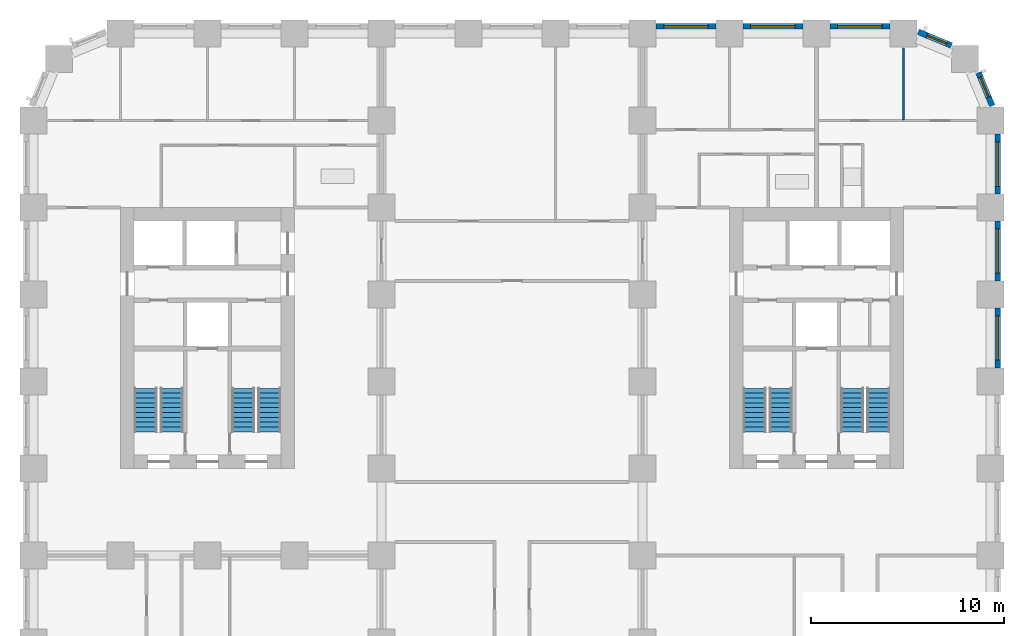
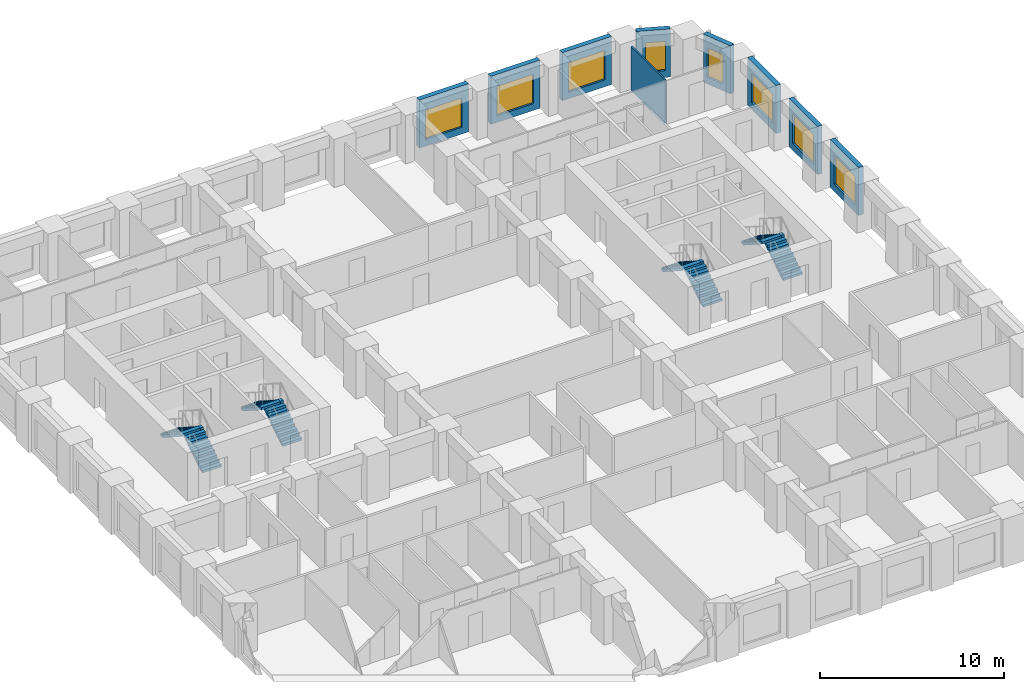
# One storey, part 9 of 12: 9 walls, 8 stair flights, 8 windows, 8 openings, 4 elements without a shape of their own.
"""IFC4 building model written with IfcOpenShell, lengths in metres."""

import ifcopenshell
import ifcopenshell.guid

model = None  # the IFC model being written
_history = None  # IfcOwnerHistory: only IFC2X3 demands one
_inside = {}  # id of a spatial element -> (the spatial element, [elements in it])
_under = {}  # id of a project, library or spatial element -> (it, [spatial elements below it])
_declared = {}  # id of a project -> (the project, [libraries it declares])
_typed = {}  # id of a type object -> (the type object, [elements of that type])
_made_of = {}  # id of a material, layer set ... -> (it, [elements and type objects made of it])


def new_model(schema):
    """Start an empty IFC model of exactly this schema.

    Asked for "IFC4X3", IfcOpenShell would pick the latest addendum, in which some entities
    have other attributes; the version numbers below select the first issue.
    IFC2X3 requires an IfcOwnerHistory on every rooted entity: one is made here for all.
    """
    global model, _history
    if schema == "IFC4X3":
        model = ifcopenshell.file(schema_version=(4, 3, 0, 0))
    else:
        model = ifcopenshell.file(schema=schema)
    _inside.clear()
    _under.clear()
    _declared.clear()
    _typed.clear()
    _made_of.clear()
    _history = None
    if model.schema == "IFC2X3":
        org = make("IfcOrganization", Name="unknown")
        user = make(
            "IfcPersonAndOrganization",
            ThePerson=make("IfcPerson", FamilyName="unknown"),
            TheOrganization=org,
        )
        app = make(
            "IfcApplication",
            ApplicationDeveloper=org,
            Version="unknown",
            ApplicationFullName="unknown",
            ApplicationIdentifier="unknown",
        )
        _history = make(
            "IfcOwnerHistory",
            OwningUser=user,
            OwningApplication=app,
            ChangeAction="ADDED",
            CreationDate=0,
        )
    return model


def make(cls, **values):
    """One entity of the class cls with the attributes given. An attribute that is None is left unset."""
    return model.create_entity(
        cls, **{name: value for name, value in values.items() if value is not None}
    )


def rooted(cls, **values):
    """An entity with a GlobalId (a new one), such as an element, a storey or a relation."""
    return make(cls, GlobalId=ifcopenshell.guid.new(), OwnerHistory=_history, **values)


def si_unit(unit_type, name, prefix=None):
    """IfcSIUnit, for example si_unit("LENGTHUNIT", "METRE", prefix="MILLI")."""
    return make("IfcSIUnit", UnitType=unit_type, Prefix=prefix, Name=name)


def assignment(units):
    """IfcUnitAssignment: the units of a project."""
    return None if units is None else make("IfcUnitAssignment", Units=units)


def point(xyz):
    """IfcCartesianPoint."""
    return None if xyz is None else make("IfcCartesianPoint", Coordinates=xyz)


def direction(xyz):
    """IfcDirection."""
    return None if xyz is None else make("IfcDirection", DirectionRatios=xyz)


def frame(location, z_axis=None, x_axis=None):
    """IfcAxis2Placement3D, a coordinate frame: its origin and axes. An axis left out is left unset."""
    return make(
        "IfcAxis2Placement3D",
        Location=point(location),
        Axis=direction(z_axis),
        RefDirection=direction(x_axis),
    )


def frame_2d(location, x_axis=None):
    """IfcAxis2Placement2D, a coordinate frame in the plane: its origin and x axis."""
    return make(
        "IfcAxis2Placement2D", Location=point(location), RefDirection=direction(x_axis)
    )


def origin():
    """The frame at (0, 0, 0) with its axes left unset."""
    return frame((0.0, 0.0, 0.0))


def place(relative_to, where):
    """IfcLocalPlacement: puts the frame where relative to a parent placement (None: the world)."""
    return make(
        "IfcLocalPlacement", PlacementRelTo=relative_to, RelativePlacement=where
    )


def context(
    kind, dimensions, precision=None, world=None, true_north=None, identifier=None
):
    """IfcGeometricRepresentationContext, for example the 3D "Model" context."""
    return make(
        "IfcGeometricRepresentationContext",
        ContextIdentifier=identifier,
        ContextType=kind,
        CoordinateSpaceDimension=dimensions,
        Precision=precision,
        WorldCoordinateSystem=world,
        TrueNorth=true_north,
    )


def subcontext(parent, identifier, kind, view, scale=None):
    """IfcGeometricRepresentationSubContext, for example "Body" below "Model"."""
    return make(
        "IfcGeometricRepresentationSubContext",
        ContextIdentifier=identifier,
        ContextType=kind,
        ParentContext=parent,
        TargetScale=scale,
        TargetView=view,
    )


def project(units=None, contexts=None):
    """IfcProject with its units and contexts."""
    return rooted(
        "IfcProject",
        Name="project",
        RepresentationContexts=contexts,
        UnitsInContext=assignment(units),
    )


def spatial(cls, under=None, at=None, **own):
    """A site, building, storey or space (cls), placed at a placement, below another one or the project."""
    s = rooted(cls, ObjectPlacement=at, **own)
    if under is not None:
        _under.setdefault(under.id(), (under, []))[1].append(s)
    return s


def polyline(points):
    """IfcPolyline through the points."""
    return make("IfcPolyline", Points=[point(p) for p in points])


def profile(cls, at=None, kind="AREA", **sizes):
    """A parametric profile (cls). Its sizes go by their IFC names, for example OverallWidth=200.0."""
    return make(cls, ProfileType=kind, Position=at, **sizes)


def rectangle(**sizes):
    """IfcRectangleProfileDef."""
    return profile("IfcRectangleProfileDef", **sizes)


def outline(outer, holes=None, kind="AREA"):
    """IfcArbitraryClosedProfileDef: a profile drawn as a closed curve; with holes, ...WithVoids."""
    if holes is None:
        return make("IfcArbitraryClosedProfileDef", ProfileType=kind, OuterCurve=outer)
    return make(
        "IfcArbitraryProfileDefWithVoids",
        ProfileType=kind,
        OuterCurve=outer,
        InnerCurves=holes,
    )


def extrude(swept, where, along, depth):
    """IfcExtrudedAreaSolid: the profile swept, set in the frame where, extruded along a direction by depth."""
    return make(
        "IfcExtrudedAreaSolid",
        SweptArea=swept,
        Position=where,
        ExtrudedDirection=direction(along),
        Depth=depth,
    )


def shape(context_of_items, identifier, shape_type, items):
    """IfcShapeRepresentation: the items that make up one representation, for example the "Body"."""
    return make(
        "IfcShapeRepresentation",
        ContextOfItems=context_of_items,
        RepresentationIdentifier=identifier,
        RepresentationType=shape_type,
        Items=items,
    )


def material(Name=None, Category=None):
    """IfcMaterial."""
    return make("IfcMaterial", Name=Name, Category=Category)


def layer(
    of_material, thickness, ventilated=None, Name=None, Category=None, Priority=None
):
    """IfcMaterialLayer: one layer of a wall or slab, of a material (None: an air gap)."""
    return make(
        "IfcMaterialLayer",
        Material=of_material,
        LayerThickness=thickness,
        IsVentilated=ventilated,
        Name=Name,
        Category=Category,
        Priority=Priority,
    )


def layer_set(layers, Name=None):
    """IfcMaterialLayerSet."""
    return make("IfcMaterialLayerSet", MaterialLayers=layers, LayerSetName=Name)


def made_of(thing, what):
    """Note that an element or type object is made of a material, layer set ...; save() writes the relation."""
    if what is not None:
        _made_of.setdefault(what.id(), (what, []))[1].append(thing)
    return thing


def type_object(cls, material=None, **own):
    """A type object (cls), such as IfcWallType, which elements share."""
    return made_of(rooted(cls, **own), material)


def element(
    cls,
    number,
    at=None,
    inside=None,
    cuts=None,
    type_object=None,
    material=None,
    context=None,
    identifier="Body",
    shape_type=None,
    held_by="IfcProductDefinitionShape",
    body=None,
    shapes=None,
    **own,
):
    """One element of the class cls, such as IfcWall. Its Tag is "e" and its number.

    at: its placement. inside: the storey or other place that contains it. cuts: it is an
    opening in that element (IfcRelVoidsElement). A single representation is given by context,
    identifier, shape_type and body (its items); several are given by shapes. held_by: the class
    of the entity that holds the representations. save() writes the other relations.
    """
    e = rooted(cls, Tag="e%d" % number, ObjectPlacement=at, **own)
    if body is not None:
        shapes = [shape(context, identifier, shape_type, body)]
    if shapes is not None:
        e.Representation = make(held_by, Representations=shapes)
    if inside is not None:
        _inside.setdefault(inside.id(), (inside, []))[1].append(e)
    if cuts is not None:
        rooted(
            "IfcRelVoidsElement", RelatingBuildingElement=cuts, RelatedOpeningElement=e
        )
    if type_object is not None:
        _typed.setdefault(type_object.id(), (type_object, []))[1].append(e)
    return made_of(e, material)


def fill(opening, filler):
    """IfcRelFillsElement: the door or window that sits in an opening."""
    return rooted(
        "IfcRelFillsElement",
        RelatingOpeningElement=opening,
        RelatedBuildingElement=filler,
    )


def aggregate(whole, parts):
    """IfcRelAggregates: a whole, such as a stair, and the parts it consists of."""
    return rooted("IfcRelAggregates", RelatingObject=whole, RelatedObjects=parts)


def save(model, path):
    """Write the relations noted so far, then the file.

    IfcRelAggregates (storeys below a building ...), IfcRelContainedInSpatialStructure (elements
    in a storey), IfcRelDefinesByType, IfcRelAssociatesMaterial and IfcRelDeclares: one each for
    every whole, place, type object, material and project.
    """
    for whole, parts in _under.values():
        aggregate(whole, parts)
    for where, things in _inside.values():
        rooted(
            "IfcRelContainedInSpatialStructure",
            RelatedElements=things,
            RelatingStructure=where,
        )
    for kind, things in _typed.values():
        rooted("IfcRelDefinesByType", RelatedObjects=things, RelatingType=kind)
    for what, things in _made_of.values():
        rooted("IfcRelAssociatesMaterial", RelatedObjects=things, RelatingMaterial=what)
    for by, libraries in _declared.values():
        rooted("IfcRelDeclares", RelatingContext=by, RelatedDefinitions=libraries)
    model.write(path)


model = new_model("IFC4")

# Units and contexts
model_context = context("Model", 3, precision=1e-05, world=origin(), true_north=direction((0.0, 1.0)))
body_context = subcontext(model_context, "Body", "Model", "MODEL_VIEW")
ifc_project = project(units=[si_unit("LENGTHUNIT", "METRE"), si_unit("AREAUNIT", "SQUARE_METRE"), si_unit("VOLUMEUNIT", "CUBIC_METRE"), si_unit("PLANEANGLEUNIT", "RADIAN"), si_unit("MASSUNIT", "GRAM", prefix="KILO")], contexts=[model_context])

# Site, building, storey
site_placement = place(None, origin())
site = spatial("IfcSite", under=ifc_project, at=site_placement, CompositionType="ELEMENT")
building_placement = place(site_placement, origin())
building = spatial("IfcBuilding", under=site, at=building_placement, Name="Girih Gate Residences", CompositionType="ELEMENT")
storey_placement = place(building_placement, frame((0.0, 0.0, 65.60009765625)))
storey = spatial("IfcBuildingStorey", under=building, at=storey_placement, Name="L17", CompositionType="ELEMENT", Elevation=65.60009765625)

# Wall
ifc_material_1 = material(Name="Gypsum board on steel studs", Category="steel")
ifc_layer_1 = layer(ifc_material_1, 0.10009765625)
ifc_layer_set_1 = layer_set([ifc_layer_1], Name="Partition 100 mm")
wall_type_1 = type_object("IfcWallType", Name="Partition 100 mm", PredefinedType="PARTITIONING", material=ifc_layer_set_1)
wall_1_placement = place(storey_placement, frame((45.0, 45.050048828125, 0.0), z_axis=(0.0, 0.0, 1.0), x_axis=(0.0, 1.0, 0.0)))
element("IfcWall", 1, at=wall_1_placement, inside=storey, type_object=wall_type_1, Name="L17 partition", PredefinedType="PARTITIONING", context=body_context, shape_type="SweptSolid", body=[
    extrude(rectangle(XDim=3.6923828125, YDim=0.10009765625, at=frame_2d((1.84619140625, 0.0))), origin(), (0.0, 0.0, 1.0), 2.89990234375),
])

# Wall, opening, window
ifc_material_2 = material(Name="Precast concrete C50/60", Category="concrete")
ifc_layer_2 = layer(ifc_material_2, 0.080078125, Name="Outer leaf")
ifc_material_3 = material(Name="Rigid PIR insulation")
ifc_layer_3 = layer(ifc_material_3, 0.14990234375, Name="Insulation")
ifc_material_4 = material(Name="Precast concrete C40/50", Category="concrete")
ifc_layer_4 = layer(ifc_material_4, 0.070068359375, Name="Inner leaf")
ifc_layer_set_2 = layer_set([ifc_layer_2, ifc_layer_3, ifc_layer_4], Name="Precast concrete C50/60 external wall 300")
wall_type_2 = type_object("IfcWallType", Name="Precast concrete C50/60 external wall 300", PredefinedType="SOLIDWALL", material=ifc_layer_set_2)
wall_2_placement = place(storey_placement, frame((49.875, 35.300048828125, 0.0), z_axis=(0.0, 0.0, 1.0), x_axis=(0.0, -1.0, 0.0)))
wall_2 = element("IfcWall", 2, at=wall_2_placement, inside=storey, type_object=wall_type_2, Name="External wall E0495_0045.6", PredefinedType="SOLIDWALL", context=body_context, shape_type="SweptSolid", body=[
    extrude(rectangle(XDim=3.10009765625, YDim=0.300048828125, at=frame_2d((1.550048828125, 0.0))), origin(), (0.0, 0.0, 1.0), 3.199951171875),
])
opening_1_placement = place(wall_2_placement, frame((0.39990234375, 0.0, 0.449951171875)))
opening_1 = element("IfcOpeningElement", 3, at=opening_1_placement, cuts=wall_2, Name="Opening W-1", PredefinedType="OPENING", context=body_context, shape_type="SweptSolid", body=[
    extrude(rectangle(XDim=2.300048828125, YDim=1.949951171875, at=frame_2d((1.14990234375, 0.97509765625))), frame((0.0, 0.159912109375, 0.0), z_axis=(0.0, -1.0, 0.0), x_axis=(1.0, 0.0, 0.0)), (0.0, 0.0, 1.0), 0.320068359375),
])
ifc_material_5 = material(Name="Double glazing in aluminium frame", Category="aluminium")
window_type_1 = type_object("IfcWindowType", Name="Window W-1 2300x1950", PartitioningType="SINGLE_PANEL", PredefinedType="WINDOW", material=ifc_material_5)
window_1_placement = place(opening_1_placement, origin())
window_1 = element("IfcWindow", 4, at=window_1_placement, inside=storey, type_object=window_type_1, Name="Window W-1 E0495_0045.6", OverallHeight=1.949951171875, OverallWidth=2.300048828125, PartitioningType="SINGLE_PANEL", PredefinedType="WINDOW", context=body_context, shape_type="SweptSolid", body=[
    extrude(rectangle(XDim=2.300048828125, YDim=1.949951171875, at=frame_2d((1.14990234375, 0.97509765625))), frame((0.0, 0.030029296875, 0.0), z_axis=(0.0, -1.0, 0.0), x_axis=(1.0, 0.0, 0.0)), (0.0, 0.0, 1.0), 0.06005859375),
])
fill(opening_1, window_1)

wall_3_placement = place(storey_placement, frame((49.875, 39.800048828125, 0.0), z_axis=(0.0, 0.0, 1.0), x_axis=(0.0, -1.0, 0.0)))
wall_3 = element("IfcWall", 5, at=wall_3_placement, inside=storey, type_object=wall_type_2, Name="External wall E0495_0045.7", PredefinedType="SOLIDWALL", context=body_context, shape_type="SweptSolid", body=[
    extrude(rectangle(XDim=3.10009765625, YDim=0.300048828125, at=frame_2d((1.550048828125, 0.0))), origin(), (0.0, 0.0, 1.0), 3.199951171875),
])
opening_2_placement = place(wall_3_placement, frame((0.39990234375, 0.0, 0.449951171875)))
opening_2 = element("IfcOpeningElement", 6, at=opening_2_placement, cuts=wall_3, Name="Opening W-1", PredefinedType="OPENING", context=body_context, shape_type="SweptSolid", body=[
    extrude(rectangle(XDim=2.300048828125, YDim=1.949951171875, at=frame_2d((1.14990234375, 0.97509765625))), frame((0.0, 0.159912109375, 0.0), z_axis=(0.0, -1.0, 0.0), x_axis=(1.0, 0.0, 0.0)), (0.0, 0.0, 1.0), 0.320068359375),
])
window_2_placement = place(opening_2_placement, origin())
window_2 = element("IfcWindow", 7, at=window_2_placement, inside=storey, type_object=window_type_1, Name="Window W-1 E0495_0045.7", OverallHeight=1.949951171875, OverallWidth=2.300048828125, PartitioningType="SINGLE_PANEL", PredefinedType="WINDOW", context=body_context, shape_type="SweptSolid", body=[
    extrude(rectangle(XDim=2.300048828125, YDim=1.949951171875, at=frame_2d((1.14990234375, 0.97509765625))), frame((0.0, 0.030029296875, 0.0), z_axis=(0.0, -1.0, 0.0), x_axis=(1.0, 0.0, 0.0)), (0.0, 0.0, 1.0), 0.06005859375),
])
fill(opening_2, window_2)

wall_4_placement = place(storey_placement, frame((49.875, 44.300048828125, 0.0), z_axis=(0.0, 0.0, 1.0), x_axis=(0.0, -1.0, 0.0)))
wall_4 = element("IfcWall", 8, at=wall_4_placement, inside=storey, type_object=wall_type_2, Name="External wall E0495_0045.8", PredefinedType="SOLIDWALL", context=body_context, shape_type="SweptSolid", body=[
    extrude(rectangle(XDim=3.10009765625, YDim=0.300048828125, at=frame_2d((1.550048828125, 0.0))), origin(), (0.0, 0.0, 1.0), 3.199951171875),
])
opening_3_placement = place(wall_4_placement, frame((0.39990234375, 0.0, 0.449951171875)))
opening_3 = element("IfcOpeningElement", 9, at=opening_3_placement, cuts=wall_4, Name="Opening W-1", PredefinedType="OPENING", context=body_context, shape_type="SweptSolid", body=[
    extrude(rectangle(XDim=2.300048828125, YDim=1.949951171875, at=frame_2d((1.14990234375, 0.97509765625))), frame((0.0, 0.159912109375, 0.0), z_axis=(0.0, -1.0, 0.0), x_axis=(1.0, 0.0, 0.0)), (0.0, 0.0, 1.0), 0.320068359375),
])
window_3_placement = place(opening_3_placement, origin())
window_3 = element("IfcWindow", 10, at=window_3_placement, inside=storey, type_object=window_type_1, Name="Window W-1 E0495_0045.8", OverallHeight=1.949951171875, OverallWidth=2.300048828125, PartitioningType="SINGLE_PANEL", PredefinedType="WINDOW", context=body_context, shape_type="SweptSolid", body=[
    extrude(rectangle(XDim=2.300048828125, YDim=1.949951171875, at=frame_2d((1.14990234375, 0.97509765625))), frame((0.0, 0.030029296875, 0.0), z_axis=(0.0, -1.0, 0.0), x_axis=(1.0, 0.0, 0.0)), (0.0, 0.0, 1.0), 0.06005859375),
])
fill(opening_3, window_3)

wall_5_placement = place(storey_placement, frame((48.87841796875, 47.48046875, 0.0), z_axis=(0.0, 0.0, 1.0), x_axis=(0.38262540684, -0.923903565336, 0.0)))
wall_5 = element("IfcWall", 11, at=wall_5_placement, inside=storey, type_object=wall_type_2, Name="External wall NE0495_0450.0", PredefinedType="SOLIDWALL", context=body_context, shape_type="SweptSolid", body=[
    extrude(rectangle(XDim=1.864990234375, YDim=0.300048828125, at=frame_2d((0.9326171875, 0.0))), origin(), (0.0, 0.0, 1.0), 3.199951171875),
])
opening_4_placement = place(wall_5_placement, frame((0.257568359375, 0.0, 0.449951171875)))
opening_4 = element("IfcOpeningElement", 12, at=opening_4_placement, cuts=wall_5, Name="Opening W-2C", PredefinedType="OPENING", context=body_context, shape_type="SweptSolid", body=[
    extrude(rectangle(XDim=1.10009765625, YDim=1.949951171875, at=frame_2d((0.550048828125, 0.97509765625))), frame((0.0, 0.159912109375, 0.0), z_axis=(0.0, -1.0, 0.0), x_axis=(1.0, 0.0, 0.0)), (0.0, 0.0, 1.0), 0.320068359375),
])
window_type_2 = type_object("IfcWindowType", Name="Window W-2C 1100x1950", PartitioningType="SINGLE_PANEL", PredefinedType="WINDOW", material=ifc_material_5)
window_4_placement = place(opening_4_placement, origin())
window_4 = element("IfcWindow", 13, at=window_4_placement, inside=storey, type_object=window_type_2, Name="Window W-2C NE0495_0450.0", OverallHeight=1.949951171875, OverallWidth=1.10009765625, PartitioningType="SINGLE_PANEL", PredefinedType="WINDOW", context=body_context, shape_type="SweptSolid", body=[
    extrude(rectangle(XDim=1.10009765625, YDim=1.949951171875, at=frame_2d((0.550048828125, 0.97509765625))), frame((0.0, 0.030029296875, 0.0), z_axis=(0.0, -1.0, 0.0), x_axis=(1.0, 0.0, 0.0)), (0.0, 0.0, 1.0), 0.06005859375),
])
fill(opening_4, window_4)

wall_6_placement = place(storey_placement, frame((45.75732421875, 49.59228515625, 0.0), z_axis=(0.0, 0.0, 1.0), x_axis=(0.923857286003, -0.382737135771, 0.0)))
wall_6 = element("IfcWall", 14, at=wall_6_placement, inside=storey, type_object=wall_type_2, Name="External wall NE0482_0482.0", PredefinedType="SOLIDWALL", context=body_context, shape_type="SweptSolid", body=[
    extrude(rectangle(XDim=1.865234375, YDim=0.300048828125, at=frame_2d((0.9326171875, 0.0))), origin(), (0.0, 0.0, 1.0), 3.199951171875),
])
opening_5_placement = place(wall_6_placement, frame((0.507568359375, 0.0, 0.449951171875)))
opening_5 = element("IfcOpeningElement", 15, at=opening_5_placement, cuts=wall_6, Name="Opening W-2C", PredefinedType="OPENING", context=body_context, shape_type="SweptSolid", body=[
    extrude(rectangle(XDim=1.10009765625, YDim=1.949951171875, at=frame_2d((0.550048828125, 0.97509765625))), frame((0.0, 0.159912109375, 0.0), z_axis=(0.0, -1.0, 0.0), x_axis=(1.0, 0.0, 0.0)), (0.0, 0.0, 1.0), 0.320068359375),
])
window_5_placement = place(opening_5_placement, origin())
window_5 = element("IfcWindow", 16, at=window_5_placement, inside=storey, type_object=window_type_2, Name="Window W-2C NE0482_0482.0", OverallHeight=1.949951171875, OverallWidth=1.10009765625, PartitioningType="SINGLE_PANEL", PredefinedType="WINDOW", context=body_context, shape_type="SweptSolid", body=[
    extrude(rectangle(XDim=1.10009765625, YDim=1.949951171875, at=frame_2d((0.550048828125, 0.97509765625))), frame((0.0, 0.030029296875, 0.0), z_axis=(0.0, -1.0, 0.0), x_axis=(1.0, 0.0, 0.0)), (0.0, 0.0, 1.0), 0.06005859375),
])
fill(opening_5, window_5)

wall_7_placement = place(storey_placement, frame((41.199951171875, 49.875, 0.0), z_axis=(0.0, 0.0, 1.0), x_axis=(1.0, 0.0, 0.0)))
wall_7 = element("IfcWall", 17, at=wall_7_placement, inside=storey, type_object=wall_type_2, Name="External wall N0450_0495.0", PredefinedType="SOLIDWALL", context=body_context, shape_type="SweptSolid", body=[
    extrude(rectangle(XDim=3.10009765625, YDim=0.300048828125, at=frame_2d((1.550048828125, 0.0))), origin(), (0.0, 0.0, 1.0), 3.199951171875),
])
opening_6_placement = place(wall_7_placement, frame((0.39990234375, 0.0, 0.449951171875)))
opening_6 = element("IfcOpeningElement", 18, at=opening_6_placement, cuts=wall_7, Name="Opening W-1", PredefinedType="OPENING", context=body_context, shape_type="SweptSolid", body=[
    extrude(rectangle(XDim=2.300048828125, YDim=1.949951171875, at=frame_2d((1.14990234375, 0.97509765625))), frame((0.0, 0.159912109375, 0.0), z_axis=(0.0, -1.0, 0.0), x_axis=(1.0, 0.0, 0.0)), (0.0, 0.0, 1.0), 0.320068359375),
])
window_6_placement = place(opening_6_placement, origin())
window_6 = element("IfcWindow", 19, at=window_6_placement, inside=storey, type_object=window_type_1, Name="Window W-1 N0450_0495.0", OverallHeight=1.949951171875, OverallWidth=2.300048828125, PartitioningType="SINGLE_PANEL", PredefinedType="WINDOW", context=body_context, shape_type="SweptSolid", body=[
    extrude(rectangle(XDim=2.300048828125, YDim=1.949951171875, at=frame_2d((1.14990234375, 0.97509765625))), frame((0.0, 0.030029296875, 0.0), z_axis=(0.0, -1.0, 0.0), x_axis=(1.0, 0.0, 0.0)), (0.0, 0.0, 1.0), 0.06005859375),
])
fill(opening_6, window_6)

wall_8_placement = place(storey_placement, frame((36.699951171875, 49.875, 0.0), z_axis=(0.0, 0.0, 1.0), x_axis=(1.0, 0.0, 0.0)))
wall_8 = element("IfcWall", 20, at=wall_8_placement, inside=storey, type_object=wall_type_2, Name="External wall N0450_0495.1", PredefinedType="SOLIDWALL", context=body_context, shape_type="SweptSolid", body=[
    extrude(rectangle(XDim=3.10009765625, YDim=0.300048828125, at=frame_2d((1.550048828125, 0.0))), origin(), (0.0, 0.0, 1.0), 3.199951171875),
])
opening_7_placement = place(wall_8_placement, frame((0.39990234375, 0.0, 0.449951171875)))
opening_7 = element("IfcOpeningElement", 21, at=opening_7_placement, cuts=wall_8, Name="Opening W-1", PredefinedType="OPENING", context=body_context, shape_type="SweptSolid", body=[
    extrude(rectangle(XDim=2.300048828125, YDim=1.949951171875, at=frame_2d((1.14990234375, 0.97509765625))), frame((0.0, 0.159912109375, 0.0), z_axis=(0.0, -1.0, 0.0), x_axis=(1.0, 0.0, 0.0)), (0.0, 0.0, 1.0), 0.320068359375),
])
window_7_placement = place(opening_7_placement, origin())
window_7 = element("IfcWindow", 22, at=window_7_placement, inside=storey, type_object=window_type_1, Name="Window W-1 N0450_0495.1", OverallHeight=1.949951171875, OverallWidth=2.300048828125, PartitioningType="SINGLE_PANEL", PredefinedType="WINDOW", context=body_context, shape_type="SweptSolid", body=[
    extrude(rectangle(XDim=2.300048828125, YDim=1.949951171875, at=frame_2d((1.14990234375, 0.97509765625))), frame((0.0, 0.030029296875, 0.0), z_axis=(0.0, -1.0, 0.0), x_axis=(1.0, 0.0, 0.0)), (0.0, 0.0, 1.0), 0.06005859375),
])
fill(opening_7, window_7)

wall_9_placement = place(storey_placement, frame((32.199951171875, 49.875, 0.0), z_axis=(0.0, 0.0, 1.0), x_axis=(1.0, 0.0, 0.0)))
wall_9 = element("IfcWall", 23, at=wall_9_placement, inside=storey, type_object=wall_type_2, Name="External wall N0450_0495.2", PredefinedType="SOLIDWALL", context=body_context, shape_type="SweptSolid", body=[
    extrude(rectangle(XDim=3.10009765625, YDim=0.300048828125, at=frame_2d((1.550048828125, 0.0))), origin(), (0.0, 0.0, 1.0), 3.199951171875),
])
opening_8_placement = place(wall_9_placement, frame((0.39990234375, 0.0, 0.449951171875)))
opening_8 = element("IfcOpeningElement", 24, at=opening_8_placement, cuts=wall_9, Name="Opening W-1", PredefinedType="OPENING", context=body_context, shape_type="SweptSolid", body=[
    extrude(rectangle(XDim=2.300048828125, YDim=1.949951171875, at=frame_2d((1.14990234375, 0.97509765625))), frame((0.0, 0.159912109375, 0.0), z_axis=(0.0, -1.0, 0.0), x_axis=(1.0, 0.0, 0.0)), (0.0, 0.0, 1.0), 0.320068359375),
])
window_8_placement = place(opening_8_placement, origin())
window_8 = element("IfcWindow", 25, at=window_8_placement, inside=storey, type_object=window_type_1, Name="Window W-1 N0450_0495.2", OverallHeight=1.949951171875, OverallWidth=2.300048828125, PartitioningType="SINGLE_PANEL", PredefinedType="WINDOW", context=body_context, shape_type="SweptSolid", body=[
    extrude(rectangle(XDim=2.300048828125, YDim=1.949951171875, at=frame_2d((1.14990234375, 0.97509765625))), frame((0.0, 0.030029296875, 0.0), z_axis=(0.0, -1.0, 0.0), x_axis=(1.0, 0.0, 0.0)), (0.0, 0.0, 1.0), 0.06005859375),
])
fill(opening_8, window_8)

# Stair, stair flights
ifc_material_6 = material(Name="Concrete C40/50", Category="concrete")
stair_type = type_object("IfcStairType", Name="Exit stair", PredefinedType="HALF_TURN_STAIR", material=ifc_material_6)
stair_1_placement = place(storey_placement, origin())
stair_1 = element("IfcStair", 26, at=stair_1_placement, inside=storey, type_object=stair_type, Name="L17 Exit Stair ST-W1", PredefinedType="HALF_TURN_STAIR")
stair_flight_type = type_object("IfcStairFlightType", Name="Stair flight 1200", PredefinedType="STRAIGHT", material=ifc_material_6)
stair_flight_1_placement = place(storey_placement, frame((7.14990234375, 28.89990234375, 0.0), z_axis=(0.0, 0.0, 1.0), x_axis=(0.0, 1.0, 0.0)))
stair_flight_1 = element("IfcStairFlight", 27, at=stair_flight_1_placement, type_object=stair_flight_type, Name="ST-W1 flight 1", NumberOfRisers=10, NumberOfTreads=9, PredefinedType="STRAIGHT", RiserHeight=0.16, TreadLength=0.25, context=body_context, shape_type="SweptSolid", body=[
    extrude(outline(polyline([(0.0, 0.0), (0.0, 0.159912109375), (0.25, 0.159912109375), (0.25, 0.320068359375), (0.5, 0.320068359375), (0.5, 0.47998046875), (0.75, 0.47998046875), (0.75, 0.639892578125), (1.0, 0.639892578125), (1.0, 0.800048828125), (1.25, 0.800048828125), (1.25, 0.9599609375), (1.5, 0.9599609375), (1.5, 1.1201171875), (1.75, 1.1201171875), (1.75, 1.280029296875), (2.0, 1.280029296875), (2.0, 1.43994140625), (2.25, 1.43994140625), (2.25, 1.60009765625), (2.25, 1.29736328125), (0.222900390625, 0.0), (0.0, 0.0)])), frame((0.0, 0.60009765625, 0.0), z_axis=(0.0, -1.0, 0.0), x_axis=(1.0, 0.0, 0.0)), (0.0, 0.0, 1.0), 1.199951171875),
])
stair_flight_2_placement = place(storey_placement, frame((5.800048828125, 31.14990234375, 1.599853515625), z_axis=(0.0, 0.0, 1.0), x_axis=(0.0, -1.0, 0.0)))
stair_flight_2 = element("IfcStairFlight", 28, at=stair_flight_2_placement, type_object=stair_flight_type, Name="ST-W1 flight 2", NumberOfRisers=10, NumberOfTreads=9, PredefinedType="STRAIGHT", RiserHeight=0.16, TreadLength=0.25, context=body_context, shape_type="SweptSolid", body=[
    extrude(outline(polyline([(0.0, 0.0), (0.0, 0.159912109375), (0.25, 0.159912109375), (0.25, 0.320068359375), (0.5, 0.320068359375), (0.5, 0.47998046875), (0.75, 0.47998046875), (0.75, 0.639892578125), (1.0, 0.639892578125), (1.0, 0.800048828125), (1.25, 0.800048828125), (1.25, 0.9599609375), (1.5, 0.9599609375), (1.5, 1.1201171875), (1.75, 1.1201171875), (1.75, 1.280029296875), (2.0, 1.280029296875), (2.0, 1.43994140625), (2.25, 1.43994140625), (2.25, 1.60009765625), (2.25, 1.29736328125), (0.222900390625, 0.0), (0.0, 0.0)])), frame((0.0, 0.60009765625, 0.0), z_axis=(0.0, -1.0, 0.0), x_axis=(1.0, 0.0, 0.0)), (0.0, 0.0, 1.0), 1.199951171875),
])
aggregate(stair_1, [stair_flight_1, stair_flight_2])

stair_2_placement = place(storey_placement, origin())
stair_2 = element("IfcStair", 29, at=stair_2_placement, inside=storey, type_object=stair_type, Name="L17 Exit Stair ST-W2", PredefinedType="HALF_TURN_STAIR")
stair_flight_3_placement = place(storey_placement, frame((12.199951171875, 28.89990234375, 0.0), z_axis=(0.0, 0.0, 1.0), x_axis=(0.0, 1.0, 0.0)))
stair_flight_3 = element("IfcStairFlight", 30, at=stair_flight_3_placement, type_object=stair_flight_type, Name="ST-W2 flight 1", NumberOfRisers=10, NumberOfTreads=9, PredefinedType="STRAIGHT", RiserHeight=0.16, TreadLength=0.25, context=body_context, shape_type="SweptSolid", body=[
    extrude(outline(polyline([(0.0, 0.0), (0.0, 0.159912109375), (0.25, 0.159912109375), (0.25, 0.320068359375), (0.5, 0.320068359375), (0.5, 0.47998046875), (0.75, 0.47998046875), (0.75, 0.639892578125), (1.0, 0.639892578125), (1.0, 0.800048828125), (1.25, 0.800048828125), (1.25, 0.9599609375), (1.5, 0.9599609375), (1.5, 1.1201171875), (1.75, 1.1201171875), (1.75, 1.280029296875), (2.0, 1.280029296875), (2.0, 1.43994140625), (2.25, 1.43994140625), (2.25, 1.60009765625), (2.25, 1.29736328125), (0.222900390625, 0.0), (0.0, 0.0)])), frame((0.0, 0.60009765625, 0.0), z_axis=(0.0, -1.0, 0.0), x_axis=(1.0, 0.0, 0.0)), (0.0, 0.0, 1.0), 1.199951171875),
])
stair_flight_4_placement = place(storey_placement, frame((10.85009765625, 31.14990234375, 1.599853515625), z_axis=(0.0, 0.0, 1.0), x_axis=(0.0, -1.0, 0.0)))
stair_flight_4 = element("IfcStairFlight", 31, at=stair_flight_4_placement, type_object=stair_flight_type, Name="ST-W2 flight 2", NumberOfRisers=10, NumberOfTreads=9, PredefinedType="STRAIGHT", RiserHeight=0.16, TreadLength=0.25, context=body_context, shape_type="SweptSolid", body=[
    extrude(outline(polyline([(0.0, 0.0), (0.0, 0.159912109375), (0.25, 0.159912109375), (0.25, 0.320068359375), (0.5, 0.320068359375), (0.5, 0.47998046875), (0.75, 0.47998046875), (0.75, 0.639892578125), (1.0, 0.639892578125), (1.0, 0.800048828125), (1.25, 0.800048828125), (1.25, 0.9599609375), (1.5, 0.9599609375), (1.5, 1.1201171875), (1.75, 1.1201171875), (1.75, 1.280029296875), (2.0, 1.280029296875), (2.0, 1.43994140625), (2.25, 1.43994140625), (2.25, 1.60009765625), (2.25, 1.29736328125), (0.222900390625, 0.0), (0.0, 0.0)])), frame((0.0, 0.60009765625, 0.0), z_axis=(0.0, -1.0, 0.0), x_axis=(1.0, 0.0, 0.0)), (0.0, 0.0, 1.0), 1.199951171875),
])
aggregate(stair_2, [stair_flight_3, stair_flight_4])

stair_3_placement = place(storey_placement, origin())
stair_3 = element("IfcStair", 32, at=stair_3_placement, inside=storey, type_object=stair_type, Name="L17 Exit Stair ST-E1", PredefinedType="HALF_TURN_STAIR")
stair_flight_5_placement = place(storey_placement, frame((43.699951171875, 28.89990234375, 0.0), z_axis=(0.0, 0.0, 1.0), x_axis=(0.0, 1.0, 0.0)))
stair_flight_5 = element("IfcStairFlight", 33, at=stair_flight_5_placement, type_object=stair_flight_type, Name="ST-E1 flight 1", NumberOfRisers=10, NumberOfTreads=9, PredefinedType="STRAIGHT", RiserHeight=0.16, TreadLength=0.25, context=body_context, shape_type="SweptSolid", body=[
    extrude(outline(polyline([(0.0, 0.0), (0.0, 0.159912109375), (0.25, 0.159912109375), (0.25, 0.320068359375), (0.5, 0.320068359375), (0.5, 0.47998046875), (0.75, 0.47998046875), (0.75, 0.639892578125), (1.0, 0.639892578125), (1.0, 0.800048828125), (1.25, 0.800048828125), (1.25, 0.9599609375), (1.5, 0.9599609375), (1.5, 1.1201171875), (1.75, 1.1201171875), (1.75, 1.280029296875), (2.0, 1.280029296875), (2.0, 1.43994140625), (2.25, 1.43994140625), (2.25, 1.60009765625), (2.25, 1.29736328125), (0.222900390625, 0.0), (0.0, 0.0)])), frame((0.0, 0.60009765625, 0.0), z_axis=(0.0, -1.0, 0.0), x_axis=(1.0, 0.0, 0.0)), (0.0, 0.0, 1.0), 1.199951171875),
])
stair_flight_6_placement = place(storey_placement, frame((42.35009765625, 31.14990234375, 1.599853515625), z_axis=(0.0, 0.0, 1.0), x_axis=(0.0, -1.0, 0.0)))
stair_flight_6 = element("IfcStairFlight", 34, at=stair_flight_6_placement, type_object=stair_flight_type, Name="ST-E1 flight 2", NumberOfRisers=10, NumberOfTreads=9, PredefinedType="STRAIGHT", RiserHeight=0.16, TreadLength=0.25, context=body_context, shape_type="SweptSolid", body=[
    extrude(outline(polyline([(0.0, 0.0), (0.0, 0.159912109375), (0.25, 0.159912109375), (0.25, 0.320068359375), (0.5, 0.320068359375), (0.5, 0.47998046875), (0.75, 0.47998046875), (0.75, 0.639892578125), (1.0, 0.639892578125), (1.0, 0.800048828125), (1.25, 0.800048828125), (1.25, 0.9599609375), (1.5, 0.9599609375), (1.5, 1.1201171875), (1.75, 1.1201171875), (1.75, 1.280029296875), (2.0, 1.280029296875), (2.0, 1.43994140625), (2.25, 1.43994140625), (2.25, 1.60009765625), (2.25, 1.29736328125), (0.222900390625, 0.0), (0.0, 0.0)])), frame((0.0, 0.60009765625, 0.0), z_axis=(0.0, -1.0, 0.0), x_axis=(1.0, 0.0, 0.0)), (0.0, 0.0, 1.0), 1.199951171875),
])
aggregate(stair_3, [stair_flight_5, stair_flight_6])

stair_4_placement = place(storey_placement, origin())
stair_4 = element("IfcStair", 35, at=stair_4_placement, inside=storey, type_object=stair_type, Name="L17 Exit Stair ST-E2", PredefinedType="HALF_TURN_STAIR")
stair_flight_7_placement = place(storey_placement, frame((38.64990234375, 28.89990234375, 0.0), z_axis=(0.0, 0.0, 1.0), x_axis=(0.0, 1.0, 0.0)))
stair_flight_7 = element("IfcStairFlight", 36, at=stair_flight_7_placement, type_object=stair_flight_type, Name="ST-E2 flight 1", NumberOfRisers=10, NumberOfTreads=9, PredefinedType="STRAIGHT", RiserHeight=0.16, TreadLength=0.25, context=body_context, shape_type="SweptSolid", body=[
    extrude(outline(polyline([(0.0, 0.0), (0.0, 0.159912109375), (0.25, 0.159912109375), (0.25, 0.320068359375), (0.5, 0.320068359375), (0.5, 0.47998046875), (0.75, 0.47998046875), (0.75, 0.639892578125), (1.0, 0.639892578125), (1.0, 0.800048828125), (1.25, 0.800048828125), (1.25, 0.9599609375), (1.5, 0.9599609375), (1.5, 1.1201171875), (1.75, 1.1201171875), (1.75, 1.280029296875), (2.0, 1.280029296875), (2.0, 1.43994140625), (2.25, 1.43994140625), (2.25, 1.60009765625), (2.25, 1.29736328125), (0.222900390625, 0.0), (0.0, 0.0)])), frame((0.0, 0.60009765625, 0.0), z_axis=(0.0, -1.0, 0.0), x_axis=(1.0, 0.0, 0.0)), (0.0, 0.0, 1.0), 1.199951171875),
])
stair_flight_8_placement = place(storey_placement, frame((37.300048828125, 31.14990234375, 1.599853515625), z_axis=(0.0, 0.0, 1.0), x_axis=(0.0, -1.0, 0.0)))
stair_flight_8 = element("IfcStairFlight", 37, at=stair_flight_8_placement, type_object=stair_flight_type, Name="ST-E2 flight 2", NumberOfRisers=10, NumberOfTreads=9, PredefinedType="STRAIGHT", RiserHeight=0.16, TreadLength=0.25, context=body_context, shape_type="SweptSolid", body=[
    extrude(outline(polyline([(0.0, 0.0), (0.0, 0.159912109375), (0.25, 0.159912109375), (0.25, 0.320068359375), (0.5, 0.320068359375), (0.5, 0.47998046875), (0.75, 0.47998046875), (0.75, 0.639892578125), (1.0, 0.639892578125), (1.0, 0.800048828125), (1.25, 0.800048828125), (1.25, 0.9599609375), (1.5, 0.9599609375), (1.5, 1.1201171875), (1.75, 1.1201171875), (1.75, 1.280029296875), (2.0, 1.280029296875), (2.0, 1.43994140625), (2.25, 1.43994140625), (2.25, 1.60009765625), (2.25, 1.29736328125), (0.222900390625, 0.0), (0.0, 0.0)])), frame((0.0, 0.60009765625, 0.0), z_axis=(0.0, -1.0, 0.0), x_axis=(1.0, 0.0, 0.0)), (0.0, 0.0, 1.0), 1.199951171875),
])
aggregate(stair_4, [stair_flight_7, stair_flight_8])

save(model, "model.ifc")
